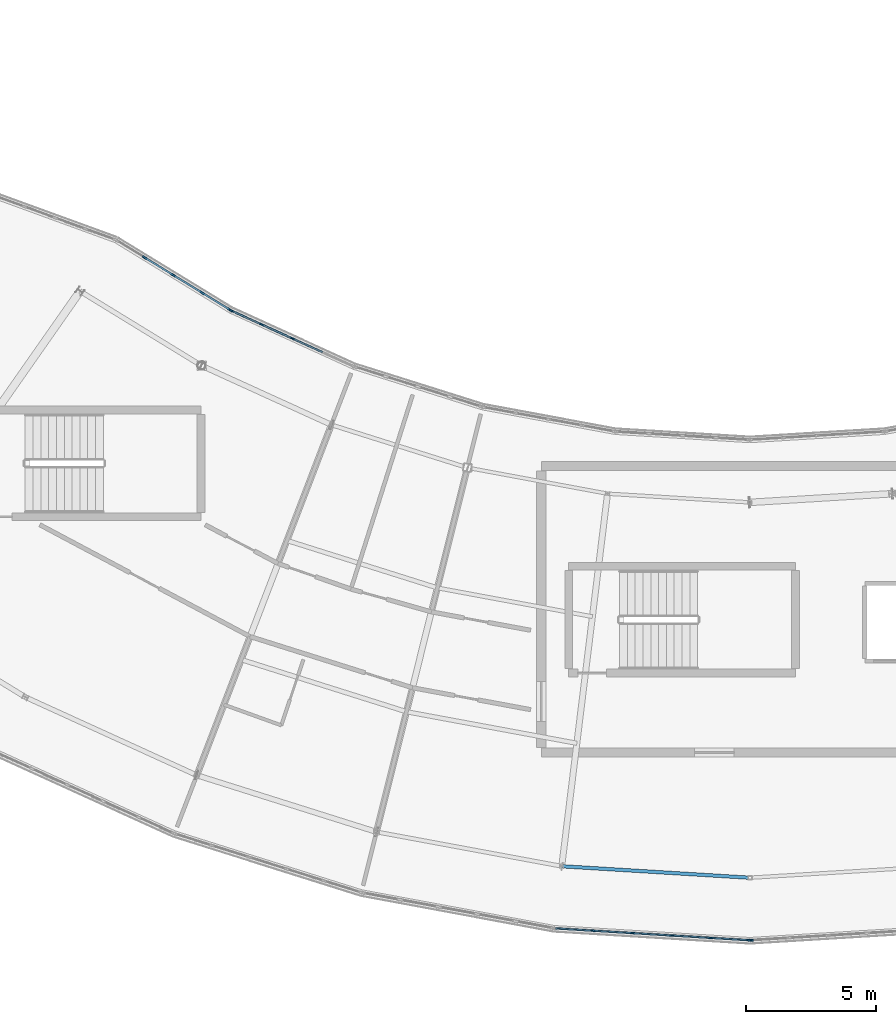
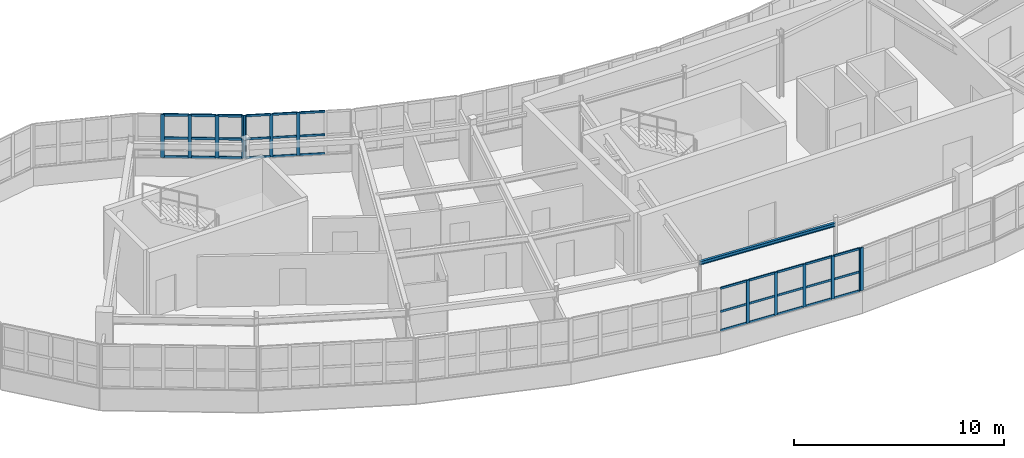
# One storey, part 23 of 79: 46 members, 1 beam, 4 elements without a shape of their own.
"""IFC4 building model written with IfcOpenShell, lengths in metres."""

import ifcopenshell
import ifcopenshell.guid

model = None  # the IFC model being written
_history = None  # IfcOwnerHistory: only IFC2X3 demands one
_inside = {}  # id of a spatial element -> (the spatial element, [elements in it])
_under = {}  # id of a project, library or spatial element -> (it, [spatial elements below it])
_declared = {}  # id of a project -> (the project, [libraries it declares])
_typed = {}  # id of a type object -> (the type object, [elements of that type])
_made_of = {}  # id of a material, layer set ... -> (it, [elements and type objects made of it])


def new_model(schema):
    """Start an empty IFC model of exactly this schema.

    Asked for "IFC4X3", IfcOpenShell would pick the latest addendum, in which some entities
    have other attributes; the version numbers below select the first issue.
    IFC2X3 requires an IfcOwnerHistory on every rooted entity: one is made here for all.
    """
    global model, _history
    if schema == "IFC4X3":
        model = ifcopenshell.file(schema_version=(4, 3, 0, 0))
    else:
        model = ifcopenshell.file(schema=schema)
    _inside.clear()
    _under.clear()
    _declared.clear()
    _typed.clear()
    _made_of.clear()
    _history = None
    if model.schema == "IFC2X3":
        org = make("IfcOrganization", Name="unknown")
        user = make(
            "IfcPersonAndOrganization",
            ThePerson=make("IfcPerson", FamilyName="unknown"),
            TheOrganization=org,
        )
        app = make(
            "IfcApplication",
            ApplicationDeveloper=org,
            Version="unknown",
            ApplicationFullName="unknown",
            ApplicationIdentifier="unknown",
        )
        _history = make(
            "IfcOwnerHistory",
            OwningUser=user,
            OwningApplication=app,
            ChangeAction="ADDED",
            CreationDate=0,
        )
    return model


def make(cls, **values):
    """One entity of the class cls with the attributes given. An attribute that is None is left unset."""
    return model.create_entity(
        cls, **{name: value for name, value in values.items() if value is not None}
    )


def rooted(cls, **values):
    """An entity with a GlobalId (a new one), such as an element, a storey or a relation."""
    return make(cls, GlobalId=ifcopenshell.guid.new(), OwnerHistory=_history, **values)


def si_unit(unit_type, name, prefix=None):
    """IfcSIUnit, for example si_unit("LENGTHUNIT", "METRE", prefix="MILLI")."""
    return make("IfcSIUnit", UnitType=unit_type, Prefix=prefix, Name=name)


def assignment(units):
    """IfcUnitAssignment: the units of a project."""
    return None if units is None else make("IfcUnitAssignment", Units=units)


def point(xyz):
    """IfcCartesianPoint."""
    return None if xyz is None else make("IfcCartesianPoint", Coordinates=xyz)


def direction(xyz):
    """IfcDirection."""
    return None if xyz is None else make("IfcDirection", DirectionRatios=xyz)


def frame(location, z_axis=None, x_axis=None):
    """IfcAxis2Placement3D, a coordinate frame: its origin and axes. An axis left out is left unset."""
    return make(
        "IfcAxis2Placement3D",
        Location=point(location),
        Axis=direction(z_axis),
        RefDirection=direction(x_axis),
    )


def frame_2d(location, x_axis=None):
    """IfcAxis2Placement2D, a coordinate frame in the plane: its origin and x axis."""
    return make(
        "IfcAxis2Placement2D", Location=point(location), RefDirection=direction(x_axis)
    )


def origin():
    """The frame at (0, 0, 0) with its axes left unset."""
    return frame((0.0, 0.0, 0.0))


def origin_2d():
    """The frame at (0, 0) in the plane with its x axis left unset."""
    return frame_2d((0.0, 0.0))


def place(relative_to, where):
    """IfcLocalPlacement: puts the frame where relative to a parent placement (None: the world)."""
    return make(
        "IfcLocalPlacement", PlacementRelTo=relative_to, RelativePlacement=where
    )


def context(
    kind, dimensions, precision=None, world=None, true_north=None, identifier=None
):
    """IfcGeometricRepresentationContext, for example the 3D "Model" context."""
    return make(
        "IfcGeometricRepresentationContext",
        ContextIdentifier=identifier,
        ContextType=kind,
        CoordinateSpaceDimension=dimensions,
        Precision=precision,
        WorldCoordinateSystem=world,
        TrueNorth=true_north,
    )


def subcontext(parent, identifier, kind, view, scale=None):
    """IfcGeometricRepresentationSubContext, for example "Body" below "Model"."""
    return make(
        "IfcGeometricRepresentationSubContext",
        ContextIdentifier=identifier,
        ContextType=kind,
        ParentContext=parent,
        TargetScale=scale,
        TargetView=view,
    )


def project(units=None, contexts=None):
    """IfcProject with its units and contexts."""
    return rooted(
        "IfcProject",
        Name="project",
        RepresentationContexts=contexts,
        UnitsInContext=assignment(units),
    )


def spatial(cls, under=None, at=None, **own):
    """A site, building, storey or space (cls), placed at a placement, below another one or the project."""
    s = rooted(cls, ObjectPlacement=at, **own)
    if under is not None:
        _under.setdefault(under.id(), (under, []))[1].append(s)
    return s


def profile(cls, at=None, kind="AREA", **sizes):
    """A parametric profile (cls). Its sizes go by their IFC names, for example OverallWidth=200.0."""
    return make(cls, ProfileType=kind, Position=at, **sizes)


def rectangle(**sizes):
    """IfcRectangleProfileDef."""
    return profile("IfcRectangleProfileDef", **sizes)


def i_section(**sizes):
    """IfcIShapeProfileDef."""
    return profile("IfcIShapeProfileDef", **sizes)


def extrude(swept, where, along, depth):
    """IfcExtrudedAreaSolid: the profile swept, set in the frame where, extruded along a direction by depth."""
    return make(
        "IfcExtrudedAreaSolid",
        SweptArea=swept,
        Position=where,
        ExtrudedDirection=direction(along),
        Depth=depth,
    )


def shape(context_of_items, identifier, shape_type, items):
    """IfcShapeRepresentation: the items that make up one representation, for example the "Body"."""
    return make(
        "IfcShapeRepresentation",
        ContextOfItems=context_of_items,
        RepresentationIdentifier=identifier,
        RepresentationType=shape_type,
        Items=items,
    )


def material(Name=None, Category=None):
    """IfcMaterial."""
    return make("IfcMaterial", Name=Name, Category=Category)


def layer(
    of_material, thickness, ventilated=None, Name=None, Category=None, Priority=None
):
    """IfcMaterialLayer: one layer of a wall or slab, of a material (None: an air gap)."""
    return make(
        "IfcMaterialLayer",
        Material=of_material,
        LayerThickness=thickness,
        IsVentilated=ventilated,
        Name=Name,
        Category=Category,
        Priority=Priority,
    )


def layer_set(layers, Name=None):
    """IfcMaterialLayerSet."""
    return make("IfcMaterialLayerSet", MaterialLayers=layers, LayerSetName=Name)


def material_profile(
    of_material, cross_section, Name=None, Category=None, Priority=None
):
    """IfcMaterialProfile: a cross section and its material."""
    return make(
        "IfcMaterialProfile",
        Name=Name,
        Material=of_material,
        Profile=cross_section,
        Priority=Priority,
        Category=Category,
    )


def profile_set(profiles, Name=None, composite=None):
    """IfcMaterialProfileSet."""
    return make(
        "IfcMaterialProfileSet",
        Name=Name,
        MaterialProfiles=profiles,
        CompositeProfile=composite,
    )


def made_of(thing, what):
    """Note that an element or type object is made of a material, layer set ...; save() writes the relation."""
    if what is not None:
        _made_of.setdefault(what.id(), (what, []))[1].append(thing)
    return thing


def type_object(cls, material=None, **own):
    """A type object (cls), such as IfcWallType, which elements share."""
    return made_of(rooted(cls, **own), material)


def element(
    cls,
    number,
    at=None,
    inside=None,
    cuts=None,
    type_object=None,
    material=None,
    context=None,
    identifier="Body",
    shape_type=None,
    held_by="IfcProductDefinitionShape",
    body=None,
    shapes=None,
    **own,
):
    """One element of the class cls, such as IfcWall. Its Tag is "e" and its number.

    at: its placement. inside: the storey or other place that contains it. cuts: it is an
    opening in that element (IfcRelVoidsElement). A single representation is given by context,
    identifier, shape_type and body (its items); several are given by shapes. held_by: the class
    of the entity that holds the representations. save() writes the other relations.
    """
    e = rooted(cls, Tag="e%d" % number, ObjectPlacement=at, **own)
    if body is not None:
        shapes = [shape(context, identifier, shape_type, body)]
    if shapes is not None:
        e.Representation = make(held_by, Representations=shapes)
    if inside is not None:
        _inside.setdefault(inside.id(), (inside, []))[1].append(e)
    if cuts is not None:
        rooted(
            "IfcRelVoidsElement", RelatingBuildingElement=cuts, RelatedOpeningElement=e
        )
    if type_object is not None:
        _typed.setdefault(type_object.id(), (type_object, []))[1].append(e)
    return made_of(e, material)


def aggregate(whole, parts):
    """IfcRelAggregates: a whole, such as a stair, and the parts it consists of."""
    return rooted("IfcRelAggregates", RelatingObject=whole, RelatedObjects=parts)


def save(model, path):
    """Write the relations noted so far, then the file.

    IfcRelAggregates (storeys below a building ...), IfcRelContainedInSpatialStructure (elements
    in a storey), IfcRelDefinesByType, IfcRelAssociatesMaterial and IfcRelDeclares: one each for
    every whole, place, type object, material and project.
    """
    for whole, parts in _under.values():
        aggregate(whole, parts)
    for where, things in _inside.values():
        rooted(
            "IfcRelContainedInSpatialStructure",
            RelatedElements=things,
            RelatingStructure=where,
        )
    for kind, things in _typed.values():
        rooted("IfcRelDefinesByType", RelatedObjects=things, RelatingType=kind)
    for what, things in _made_of.values():
        rooted("IfcRelAssociatesMaterial", RelatedObjects=things, RelatingMaterial=what)
    for by, libraries in _declared.values():
        rooted("IfcRelDeclares", RelatingContext=by, RelatedDefinitions=libraries)
    model.write(path)


model = new_model("IFC4")

# Units and contexts
model_context = context("Model", 3, precision=1e-05, world=origin(), true_north=direction((0.0, 1.0)))
body_context = subcontext(model_context, "Body", "Model", "MODEL_VIEW")
ifc_project = project(units=[si_unit("LENGTHUNIT", "METRE"), si_unit("AREAUNIT", "SQUARE_METRE"), si_unit("VOLUMEUNIT", "CUBIC_METRE"), si_unit("PLANEANGLEUNIT", "RADIAN"), si_unit("MASSUNIT", "GRAM", prefix="KILO")], contexts=[model_context])

# Site, building, storey
site_placement = place(None, origin())
site = spatial("IfcSite", under=ifc_project, at=site_placement, CompositionType="ELEMENT")
building_placement = place(site_placement, origin())
building = spatial("IfcBuilding", under=site, at=building_placement, Name="Tarnwether General Hospital", CompositionType="ELEMENT")
storey_placement = place(building_placement, frame((0.0, 0.0, 18.300048828125)))
storey = spatial("IfcBuildingStorey", under=building, at=storey_placement, Name="L04", CompositionType="ELEMENT", Elevation=18.300048828125)

# Beam
ifc_material_1 = material(Name="Steel Grade 350 (350 MPa)", Category="steel")
ifc_material_profile_1 = material_profile(ifc_material_1, i_section(OverallWidth=0.133056640625, OverallDepth=0.202880859375, WebThickness=0.005859375, FlangeThickness=0.0078125, at=origin_2d()), Name="200UB25.4")
ifc_profile_set_1 = profile_set([ifc_material_profile_1], Name="Steel Grade 350 (350 MPa)")
beam_type = type_object("IfcBeamType", Name="BM-SP5", PredefinedType="SPANDREL", material=ifc_profile_set_1)
beam_placement = place(storey_placement, frame((84.784912109375, 4.240966796875, 3.45849609375), z_axis=(0.998137964221, -0.060996757127, 0.0), x_axis=(0.060996757127, 0.998137964221, 0.0)))
element("IfcBeam", 1, at=beam_placement, inside=storey, type_object=beam_type, Name="Curved Ward SE Outer Spandrel BMG-L04-8478_424-9200_380-2150", PredefinedType="SPANDREL", context=body_context, shape_type="SweptSolid", body=[
    extrude(i_section(OverallWidth=0.133056640625, OverallDepth=0.202880859375, WebThickness=0.005859375, FlangeThickness=0.0078125, at=origin_2d()), origin(), (0.0, 0.0, 1.0), 7.228515625),
])

# Curtain wall, members
ifc_material_2 = material(Name="Anodised aluminium", Category="aluminium")
ifc_layer_1 = layer(ifc_material_2, 0.159912109375)
ifc_layer_set_1 = layer_set([ifc_layer_1], Name="Anodised aluminium")
curtain_wall_type_1 = type_object("IfcCurtainWallType", Name="CW-09", PredefinedType="NOTDEFINED", material=ifc_layer_set_1)
curtain_wall_1_placement = place(storey_placement, origin())
curtain_wall_1 = element("IfcCurtainWall", 2, at=curtain_wall_1_placement, inside=storey, type_object=curtain_wall_type_1, Name="Curtain Wall CWG-L04-920_14-0190", PredefinedType="NOTDEFINED")
ifc_material_3 = material(Name="Anodised aluminium", Category="aluminium")
ifc_material_profile_2 = material_profile(ifc_material_3, rectangle(XDim=0.06005859375, YDim=0.159912109375, at=origin_2d()), Name="ALU-MUL-60x160")
ifc_profile_set_2 = profile_set([ifc_material_profile_2], Name="Anodised aluminium")
member_type_1 = type_object("IfcMemberType", Name="CW-ML1", PredefinedType="MULLION", material=ifc_profile_set_2)
member_1_placement = place(storey_placement, frame((91.969970703125, 1.40185546875, 1.050048828125), z_axis=(0.0, 0.0, 1.0), x_axis=(-0.061028962567, -0.998135995608, 0.0)))
member_1 = element("IfcMember", 3, at=member_1_placement, type_object=member_type_1, Name="CW-09 mullion 1", PredefinedType="MULLION", context=body_context, shape_type="SweptSolid", body=[
    extrude(rectangle(XDim=0.06005859375, YDim=0.159912109375, at=origin_2d()), origin(), (0.0, 0.0, 1.0), 2.489990234375),
])
member_2_placement = place(storey_placement, frame((90.49853515625, 1.49169921875, 1.050048828125), z_axis=(0.0, 0.0, 1.0), x_axis=(-0.061028962567, -0.998135995608, 0.0)))
member_2 = element("IfcMember", 4, at=member_2_placement, type_object=member_type_1, Name="CW-09 mullion 2", PredefinedType="MULLION", context=body_context, shape_type="SweptSolid", body=[
    extrude(rectangle(XDim=0.06005859375, YDim=0.159912109375, at=origin_2d()), origin(), (0.0, 0.0, 1.0), 2.489990234375),
])
member_3_placement = place(storey_placement, frame((88.997314453125, 1.58349609375, 1.050048828125), z_axis=(0.0, 0.0, 1.0), x_axis=(-0.061028962567, -0.998135995608, 0.0)))
member_3 = element("IfcMember", 5, at=member_3_placement, type_object=member_type_1, Name="CW-09 mullion 3", PredefinedType="MULLION", context=body_context, shape_type="SweptSolid", body=[
    extrude(rectangle(XDim=0.06005859375, YDim=0.159912109375, at=origin_2d()), origin(), (0.0, 0.0, 1.0), 2.489990234375),
])
member_4_placement = place(storey_placement, frame((87.495849609375, 1.67529296875, 1.050048828125), z_axis=(0.0, 0.0, 1.0), x_axis=(-0.061028962567, -0.998135995608, 0.0)))
member_4 = element("IfcMember", 6, at=member_4_placement, type_object=member_type_1, Name="CW-09 mullion 4", PredefinedType="MULLION", context=body_context, shape_type="SweptSolid", body=[
    extrude(rectangle(XDim=0.06005859375, YDim=0.159912109375, at=origin_2d()), origin(), (0.0, 0.0, 1.0), 2.489990234375),
])
member_5_placement = place(storey_placement, frame((85.994384765625, 1.76708984375, 1.050048828125), z_axis=(0.0, 0.0, 1.0), x_axis=(-0.061028962567, -0.998135995608, 0.0)))
member_5 = element("IfcMember", 7, at=member_5_placement, type_object=member_type_1, Name="CW-09 mullion 5", PredefinedType="MULLION", context=body_context, shape_type="SweptSolid", body=[
    extrude(rectangle(XDim=0.06005859375, YDim=0.159912109375, at=origin_2d()), origin(), (0.0, 0.0, 1.0), 2.489990234375),
])

ifc_material_4 = material(Name="Anodised aluminium", Category="aluminium")
ifc_layer_2 = layer(ifc_material_4, 0.159912109375)
ifc_layer_set_2 = layer_set([ifc_layer_2], Name="Anodised aluminium")
curtain_wall_type_2 = type_object("IfcCurtainWallType", Name="CW-03", PredefinedType="NOTDEFINED", material=ifc_layer_set_2)
curtain_wall_2_placement = place(storey_placement, origin())
curtain_wall_2 = element("IfcCurtainWall", 8, at=curtain_wall_2_placement, inside=storey, type_object=curtain_wall_type_2, Name="Curtain Wall CWG-L04-721_256-0210", PredefinedType="NOTDEFINED")
member_6_placement = place(storey_placement, frame((72.121337890625, 25.550537109375, 1.050048828125), z_axis=(0.0, 0.0, 1.0), x_axis=(0.41470501572, 0.90995590549, 0.0)))
member_6 = element("IfcMember", 9, at=member_6_placement, type_object=member_type_1, Name="CW-03 mullion 1", PredefinedType="MULLION", context=body_context, shape_type="SweptSolid", body=[
    extrude(rectangle(XDim=0.06005859375, YDim=0.159912109375, at=origin_2d()), origin(), (0.0, 0.0, 1.0), 2.489990234375),
])
member_7_placement = place(storey_placement, frame((73.271728515625, 25.0263671875, 1.050048828125), z_axis=(0.0, 0.0, 1.0), x_axis=(0.41470501572, 0.90995590549, 0.0)))
member_7 = element("IfcMember", 10, at=member_7_placement, type_object=member_type_1, Name="CW-03 mullion 2", PredefinedType="MULLION", context=body_context, shape_type="SweptSolid", body=[
    extrude(rectangle(XDim=0.06005859375, YDim=0.159912109375, at=origin_2d()), origin(), (0.0, 0.0, 1.0), 2.489990234375),
])
member_8_placement = place(storey_placement, frame((74.449462890625, 24.489501953125, 1.050048828125), z_axis=(0.0, 0.0, 1.0), x_axis=(0.41470501572, 0.90995590549, 0.0)))
member_8 = element("IfcMember", 11, at=member_8_placement, type_object=member_type_1, Name="CW-03 mullion 3", PredefinedType="MULLION", context=body_context, shape_type="SweptSolid", body=[
    extrude(rectangle(XDim=0.06005859375, YDim=0.159912109375, at=origin_2d()), origin(), (0.0, 0.0, 1.0), 2.489990234375),
])

# Curtain wall, member
curtain_wall_3_placement = place(storey_placement, origin())
curtain_wall_3 = element("IfcCurtainWall", 12, at=curtain_wall_3_placement, inside=storey, type_object=curtain_wall_type_1, Name="Curtain Wall CWG-L04-995_19-0191", PredefinedType="NOTDEFINED")
ifc_material_5 = material(Name="Anodised aluminium", Category="aluminium")
ifc_material_profile_3 = material_profile(ifc_material_5, rectangle(XDim=0.070068359375, YDim=0.179931640625, at=origin_2d()), Name="ALU-MUL-70x180")
ifc_profile_set_3 = profile_set([ifc_material_profile_3], Name="Anodised aluminium")
member_type_2 = type_object("IfcMemberType", Name="CW-ML2", PredefinedType="MULLION", material=ifc_profile_set_3)
member_9_placement = place(storey_placement, frame((92.034912109375, 1.402099609375, 1.050048828125), z_axis=(0.0, 0.0, 1.0), x_axis=(0.061028962567, -0.998135995608, 0.0)))
member_9 = element("IfcMember", 13, at=member_9_placement, type_object=member_type_2, Name="CW-09 mullion 6", PredefinedType="MULLION", context=body_context, shape_type="SweptSolid", body=[
    extrude(rectangle(XDim=0.070068359375, YDim=0.179931640625, at=origin_2d()), origin(), (0.0, 0.0, 1.0), 2.489990234375),
])
aggregate(curtain_wall_3, [member_9])

# Curtain wall, members
curtain_wall_4_placement = place(storey_placement, origin())
curtain_wall_4 = element("IfcCurtainWall", 14, at=curtain_wall_4_placement, inside=storey, type_object=curtain_wall_type_2, Name="Curtain Wall CWG-L04-677_283-0211", PredefinedType="NOTDEFINED")
member_10_placement = place(storey_placement, frame((68.783447265625, 27.591796875, 1.050048828125), z_axis=(0.0, 0.0, 1.0), x_axis=(0.522512231483, 0.852631789198, 0.0)))
member_10 = element("IfcMember", 15, at=member_10_placement, type_object=member_type_2, Name="CW-03 mullion 2", PredefinedType="MULLION", context=body_context, shape_type="SweptSolid", body=[
    extrude(rectangle(XDim=0.070068359375, YDim=0.179931640625, at=origin_2d()), origin(), (0.0, 0.0, 1.0), 2.489990234375),
])
member_11_placement = place(storey_placement, frame((69.886962890625, 26.91552734375, 1.050048828125), z_axis=(0.0, 0.0, 1.0), x_axis=(0.522512231483, 0.852631789198, 0.0)))
member_11 = element("IfcMember", 16, at=member_11_placement, type_object=member_type_2, Name="CW-03 mullion 3", PredefinedType="MULLION", context=body_context, shape_type="SweptSolid", body=[
    extrude(rectangle(XDim=0.070068359375, YDim=0.179931640625, at=origin_2d()), origin(), (0.0, 0.0, 1.0), 2.489990234375),
])
member_12_placement = place(storey_placement, frame((70.990478515625, 26.2392578125, 1.050048828125), z_axis=(0.0, 0.0, 1.0), x_axis=(0.522512231483, 0.852631789198, 0.0)))
member_12 = element("IfcMember", 17, at=member_12_placement, type_object=member_type_2, Name="CW-03 mullion 4", PredefinedType="MULLION", context=body_context, shape_type="SweptSolid", body=[
    extrude(rectangle(XDim=0.070068359375, YDim=0.179931640625, at=origin_2d()), origin(), (0.0, 0.0, 1.0), 2.489990234375),
])
member_13_placement = place(storey_placement, frame((72.064208984375, 25.581298828125, 1.050048828125), z_axis=(0.0, 0.0, 1.0), x_axis=(0.522512231483, 0.852631789198, 0.0)))
member_13 = element("IfcMember", 18, at=member_13_placement, type_object=member_type_2, Name="CW-03 mullion 5", PredefinedType="MULLION", context=body_context, shape_type="SweptSolid", body=[
    extrude(rectangle(XDim=0.070068359375, YDim=0.179931640625, at=origin_2d()), origin(), (0.0, 0.0, 1.0), 2.489990234375),
])

# Member
ifc_material_6 = material(Name="Anodised aluminium", Category="aluminium")
ifc_material_profile_4 = material_profile(ifc_material_6, rectangle(XDim=0.06005859375, YDim=0.1201171875, at=origin_2d()), Name="ALU-TRN-60x120")
ifc_profile_set_4 = profile_set([ifc_material_profile_4], Name="Anodised aluminium")
member_type_3 = type_object("IfcMemberType", Name="CW-TR1", PredefinedType="USERDEFINED", material=ifc_profile_set_4)
member_14_placement = place(storey_placement, frame((91.940185546875, 1.403564453125, 1.079833984375), z_axis=(-0.998131033565, 0.06111006328, 0.0), x_axis=(-0.06111006328, -0.998131033565, 0.0)))
member_14 = element("IfcMember", 19, at=member_14_placement, type_object=member_type_3, Name="CW-09 transom 1.1", ObjectType="TRANSOM", PredefinedType="USERDEFINED", context=body_context, shape_type="SweptSolid", body=[
    extrude(rectangle(XDim=0.06005859375, YDim=0.1201171875, at=origin_2d()), origin(), (0.0, 0.0, 1.0), 1.414306640625),
])

member_15_placement = place(storey_placement, frame((91.940185546875, 1.403564453125, 2.17041015625), z_axis=(-0.998131033565, 0.06111006328, 0.0), x_axis=(-0.06111006328, -0.998131033565, 0.0)))
member_15 = element("IfcMember", 20, at=member_15_placement, type_object=member_type_3, Name="CW-09 transom 1.2", ObjectType="TRANSOM", PredefinedType="USERDEFINED", context=body_context, shape_type="SweptSolid", body=[
    extrude(rectangle(XDim=0.06005859375, YDim=0.1201171875, at=origin_2d()), origin(), (0.0, 0.0, 1.0), 1.414306640625),
])

member_16_placement = place(storey_placement, frame((91.940185546875, 1.403564453125, 3.510009765625), z_axis=(-0.998131033565, 0.06111006328, 0.0), x_axis=(-0.06111006328, -0.998131033565, 0.0)))
member_16 = element("IfcMember", 21, at=member_16_placement, type_object=member_type_3, Name="CW-09 transom 1.3", ObjectType="TRANSOM", PredefinedType="USERDEFINED", context=body_context, shape_type="SweptSolid", body=[
    extrude(rectangle(XDim=0.06005859375, YDim=0.1201171875, at=origin_2d()), origin(), (0.0, 0.0, 1.0), 1.414306640625),
])

member_17_placement = place(storey_placement, frame((90.46875, 1.49365234375, 1.079833984375), z_axis=(-0.998136500325, 0.061020707302, 0.0), x_axis=(-0.061020707302, -0.998136500325, 0.0)))
member_17 = element("IfcMember", 22, at=member_17_placement, type_object=member_type_3, Name="CW-09 transom 2.1", ObjectType="TRANSOM", PredefinedType="USERDEFINED", context=body_context, shape_type="SweptSolid", body=[
    extrude(rectangle(XDim=0.06005859375, YDim=0.1201171875, at=origin_2d()), origin(), (0.0, 0.0, 1.0), 1.4443359375),
])

member_18_placement = place(storey_placement, frame((90.46875, 1.49365234375, 2.17041015625), z_axis=(-0.998136500325, 0.061020707302, 0.0), x_axis=(-0.061020707302, -0.998136500325, 0.0)))
member_18 = element("IfcMember", 23, at=member_18_placement, type_object=member_type_3, Name="CW-09 transom 2.2", ObjectType="TRANSOM", PredefinedType="USERDEFINED", context=body_context, shape_type="SweptSolid", body=[
    extrude(rectangle(XDim=0.06005859375, YDim=0.1201171875, at=origin_2d()), origin(), (0.0, 0.0, 1.0), 1.4443359375),
])

member_19_placement = place(storey_placement, frame((90.46875, 1.49365234375, 3.510009765625), z_axis=(-0.998136500325, 0.061020707302, 0.0), x_axis=(-0.061020707302, -0.998136500325, 0.0)))
member_19 = element("IfcMember", 24, at=member_19_placement, type_object=member_type_3, Name="CW-09 transom 2.3", ObjectType="TRANSOM", PredefinedType="USERDEFINED", context=body_context, shape_type="SweptSolid", body=[
    extrude(rectangle(XDim=0.06005859375, YDim=0.1201171875, at=origin_2d()), origin(), (0.0, 0.0, 1.0), 1.4443359375),
])

member_20_placement = place(storey_placement, frame((88.96728515625, 1.58544921875, 1.079833984375), z_axis=(-0.998136500325, 0.061020707302, 0.0), x_axis=(-0.061020707302, -0.998136500325, 0.0)))
member_20 = element("IfcMember", 25, at=member_20_placement, type_object=member_type_3, Name="CW-09 transom 3.1", ObjectType="TRANSOM", PredefinedType="USERDEFINED", context=body_context, shape_type="SweptSolid", body=[
    extrude(rectangle(XDim=0.06005859375, YDim=0.1201171875, at=origin_2d()), origin(), (0.0, 0.0, 1.0), 1.4443359375),
])

member_21_placement = place(storey_placement, frame((88.96728515625, 1.58544921875, 2.17041015625), z_axis=(-0.998136500325, 0.061020707302, 0.0), x_axis=(-0.061020707302, -0.998136500325, 0.0)))
member_21 = element("IfcMember", 26, at=member_21_placement, type_object=member_type_3, Name="CW-09 transom 3.2", ObjectType="TRANSOM", PredefinedType="USERDEFINED", context=body_context, shape_type="SweptSolid", body=[
    extrude(rectangle(XDim=0.06005859375, YDim=0.1201171875, at=origin_2d()), origin(), (0.0, 0.0, 1.0), 1.4443359375),
])

member_22_placement = place(storey_placement, frame((88.96728515625, 1.58544921875, 3.510009765625), z_axis=(-0.998136500325, 0.061020707302, 0.0), x_axis=(-0.061020707302, -0.998136500325, 0.0)))
member_22 = element("IfcMember", 27, at=member_22_placement, type_object=member_type_3, Name="CW-09 transom 3.3", ObjectType="TRANSOM", PredefinedType="USERDEFINED", context=body_context, shape_type="SweptSolid", body=[
    extrude(rectangle(XDim=0.06005859375, YDim=0.1201171875, at=origin_2d()), origin(), (0.0, 0.0, 1.0), 1.4443359375),
])

member_23_placement = place(storey_placement, frame((87.4658203125, 1.67724609375, 1.079833984375), z_axis=(-0.998135870769, 0.061031004293, 0.0), x_axis=(-0.061031004293, -0.998135870769, 0.0)))
member_23 = element("IfcMember", 28, at=member_23_placement, type_object=member_type_3, Name="CW-09 transom 4.1", ObjectType="TRANSOM", PredefinedType="USERDEFINED", context=body_context, shape_type="SweptSolid", body=[
    extrude(rectangle(XDim=0.06005859375, YDim=0.1201171875, at=origin_2d()), origin(), (0.0, 0.0, 1.0), 1.444091796875),
])

member_24_placement = place(storey_placement, frame((87.4658203125, 1.67724609375, 2.17041015625), z_axis=(-0.998135870769, 0.061031004293, 0.0), x_axis=(-0.061031004293, -0.998135870769, 0.0)))
member_24 = element("IfcMember", 29, at=member_24_placement, type_object=member_type_3, Name="CW-09 transom 4.2", ObjectType="TRANSOM", PredefinedType="USERDEFINED", context=body_context, shape_type="SweptSolid", body=[
    extrude(rectangle(XDim=0.06005859375, YDim=0.1201171875, at=origin_2d()), origin(), (0.0, 0.0, 1.0), 1.444091796875),
])

member_25_placement = place(storey_placement, frame((87.4658203125, 1.67724609375, 3.510009765625), z_axis=(-0.998135870769, 0.061031004293, 0.0), x_axis=(-0.061031004293, -0.998135870769, 0.0)))
member_25 = element("IfcMember", 30, at=member_25_placement, type_object=member_type_3, Name="CW-09 transom 4.3", ObjectType="TRANSOM", PredefinedType="USERDEFINED", context=body_context, shape_type="SweptSolid", body=[
    extrude(rectangle(XDim=0.06005859375, YDim=0.1201171875, at=origin_2d()), origin(), (0.0, 0.0, 1.0), 1.444091796875),
])

member_26_placement = place(storey_placement, frame((85.96435546875, 1.76904296875, 1.079833984375), z_axis=(-0.998140907193, 0.060948579872, 0.0), x_axis=(-0.060948579872, -0.998140907193, 0.0)))
member_26 = element("IfcMember", 31, at=member_26_placement, type_object=member_type_3, Name="CW-09 transom 5.1", ObjectType="TRANSOM", PredefinedType="USERDEFINED", context=body_context, shape_type="SweptSolid", body=[
    extrude(rectangle(XDim=0.06005859375, YDim=0.1201171875, at=origin_2d()), origin(), (0.0, 0.0, 1.0), 1.4140625),
])

member_27_placement = place(storey_placement, frame((85.96435546875, 1.76904296875, 2.17041015625), z_axis=(-0.998140907193, 0.060948579872, 0.0), x_axis=(-0.060948579872, -0.998140907193, 0.0)))
member_27 = element("IfcMember", 32, at=member_27_placement, type_object=member_type_3, Name="CW-09 transom 5.2", ObjectType="TRANSOM", PredefinedType="USERDEFINED", context=body_context, shape_type="SweptSolid", body=[
    extrude(rectangle(XDim=0.06005859375, YDim=0.1201171875, at=origin_2d()), origin(), (0.0, 0.0, 1.0), 1.4140625),
])

member_28_placement = place(storey_placement, frame((85.96435546875, 1.76904296875, 3.510009765625), z_axis=(-0.998140907193, 0.060948579872, 0.0), x_axis=(-0.060948579872, -0.998140907193, 0.0)))
member_28 = element("IfcMember", 33, at=member_28_placement, type_object=member_type_3, Name="CW-09 transom 5.3", ObjectType="TRANSOM", PredefinedType="USERDEFINED", context=body_context, shape_type="SweptSolid", body=[
    extrude(rectangle(XDim=0.06005859375, YDim=0.1201171875, at=origin_2d()), origin(), (0.0, 0.0, 1.0), 1.4140625),
])

aggregate(curtain_wall_1, [member_1, member_2, member_3, member_4, member_5, member_14, member_15, member_16, member_17, member_18, member_19, member_20, member_21, member_22, member_23, member_24, member_25, member_26, member_27, member_28])

member_29_placement = place(storey_placement, frame((72.148681640625, 25.5380859375, 1.079833984375), z_axis=(0.90990766598, -0.414810847726, 0.0), x_axis=(0.414810847726, 0.90990766598, 0.0)))
member_29 = element("IfcMember", 34, at=member_29_placement, type_object=member_type_3, Name="CW-03 transom 1.1", ObjectType="TRANSOM", PredefinedType="USERDEFINED", context=body_context, shape_type="SweptSolid", body=[
    extrude(rectangle(XDim=0.06005859375, YDim=0.1201171875, at=origin_2d()), origin(), (0.0, 0.0, 1.0), 1.2041015625),
])

member_30_placement = place(storey_placement, frame((72.148681640625, 25.5380859375, 2.17041015625), z_axis=(0.90990766598, -0.414810847726, 0.0), x_axis=(0.414810847726, 0.90990766598, 0.0)))
member_30 = element("IfcMember", 35, at=member_30_placement, type_object=member_type_3, Name="CW-03 transom 1.2", ObjectType="TRANSOM", PredefinedType="USERDEFINED", context=body_context, shape_type="SweptSolid", body=[
    extrude(rectangle(XDim=0.06005859375, YDim=0.1201171875, at=origin_2d()), origin(), (0.0, 0.0, 1.0), 1.2041015625),
])

member_31_placement = place(storey_placement, frame((72.148681640625, 25.5380859375, 3.510009765625), z_axis=(0.90990766598, -0.414810847726, 0.0), x_axis=(0.414810847726, 0.90990766598, 0.0)))
member_31 = element("IfcMember", 36, at=member_31_placement, type_object=member_type_3, Name="CW-03 transom 1.3", ObjectType="TRANSOM", PredefinedType="USERDEFINED", context=body_context, shape_type="SweptSolid", body=[
    extrude(rectangle(XDim=0.06005859375, YDim=0.1201171875, at=origin_2d()), origin(), (0.0, 0.0, 1.0), 1.2041015625),
])

member_32_placement = place(storey_placement, frame((73.299072265625, 25.013916015625, 1.079833984375), z_axis=(0.909912057704, -0.414801214132, 0.0), x_axis=(0.414801214132, 0.909912057704, 0.0)))
member_32 = element("IfcMember", 37, at=member_32_placement, type_object=member_type_3, Name="CW-03 transom 2.1", ObjectType="TRANSOM", PredefinedType="USERDEFINED", context=body_context, shape_type="SweptSolid", body=[
    extrude(rectangle(XDim=0.06005859375, YDim=0.1201171875, at=origin_2d()), origin(), (0.0, 0.0, 1.0), 1.234130859375),
])

member_33_placement = place(storey_placement, frame((73.299072265625, 25.013916015625, 2.17041015625), z_axis=(0.909912057704, -0.414801214132, 0.0), x_axis=(0.414801214132, 0.909912057704, 0.0)))
member_33 = element("IfcMember", 38, at=member_33_placement, type_object=member_type_3, Name="CW-03 transom 2.2", ObjectType="TRANSOM", PredefinedType="USERDEFINED", context=body_context, shape_type="SweptSolid", body=[
    extrude(rectangle(XDim=0.06005859375, YDim=0.1201171875, at=origin_2d()), origin(), (0.0, 0.0, 1.0), 1.234130859375),
])

member_34_placement = place(storey_placement, frame((73.299072265625, 25.013916015625, 3.510009765625), z_axis=(0.909912057704, -0.414801214132, 0.0), x_axis=(0.414801214132, 0.909912057704, 0.0)))
member_34 = element("IfcMember", 39, at=member_34_placement, type_object=member_type_3, Name="CW-03 transom 2.3", ObjectType="TRANSOM", PredefinedType="USERDEFINED", context=body_context, shape_type="SweptSolid", body=[
    extrude(rectangle(XDim=0.06005859375, YDim=0.1201171875, at=origin_2d()), origin(), (0.0, 0.0, 1.0), 1.234130859375),
])

member_35_placement = place(storey_placement, frame((74.476806640625, 24.47705078125, 1.079833984375), z_axis=(0.909912057704, -0.414801214132, 0.0), x_axis=(0.414801214132, 0.909912057704, 0.0)))
member_35 = element("IfcMember", 40, at=member_35_placement, type_object=member_type_3, Name="CW-03 transom 3.1", ObjectType="TRANSOM", PredefinedType="USERDEFINED", context=body_context, shape_type="SweptSolid", body=[
    extrude(rectangle(XDim=0.06005859375, YDim=0.1201171875, at=origin_2d()), origin(), (0.0, 0.0, 1.0), 1.234130859375),
])

member_36_placement = place(storey_placement, frame((74.476806640625, 24.47705078125, 2.17041015625), z_axis=(0.909912057704, -0.414801214132, 0.0), x_axis=(0.414801214132, 0.909912057704, 0.0)))
member_36 = element("IfcMember", 41, at=member_36_placement, type_object=member_type_3, Name="CW-03 transom 3.2", ObjectType="TRANSOM", PredefinedType="USERDEFINED", context=body_context, shape_type="SweptSolid", body=[
    extrude(rectangle(XDim=0.06005859375, YDim=0.1201171875, at=origin_2d()), origin(), (0.0, 0.0, 1.0), 1.234130859375),
])

member_37_placement = place(storey_placement, frame((74.476806640625, 24.47705078125, 3.510009765625), z_axis=(0.909912057704, -0.414801214132, 0.0), x_axis=(0.414801214132, 0.909912057704, 0.0)))
member_37 = element("IfcMember", 42, at=member_37_placement, type_object=member_type_3, Name="CW-03 transom 3.3", ObjectType="TRANSOM", PredefinedType="USERDEFINED", context=body_context, shape_type="SweptSolid", body=[
    extrude(rectangle(XDim=0.06005859375, YDim=0.1201171875, at=origin_2d()), origin(), (0.0, 0.0, 1.0), 1.234130859375),
])

aggregate(curtain_wall_2, [member_6, member_7, member_8, member_29, member_30, member_31, member_32, member_33, member_34, member_35, member_36, member_37])

ifc_material_7 = material(Name="Anodised aluminium", Category="aluminium")
ifc_material_profile_5 = material_profile(ifc_material_7, rectangle(XDim=0.070068359375, YDim=0.139892578125, at=origin_2d()), Name="ALU-TRN-70x140")
ifc_profile_set_5 = profile_set([ifc_material_profile_5], Name="Anodised aluminium")
member_type_4 = type_object("IfcMemberType", Name="CW-TR2", PredefinedType="USERDEFINED", material=ifc_profile_set_5)
member_38_placement = place(storey_placement, frame((68.813232421875, 27.573486328125, 1.0849609375), z_axis=(0.852670027324, -0.522449829651, 0.0), x_axis=(0.522449829651, 0.852670027324, 0.0)))
member_38 = element("IfcMember", 43, at=member_38_placement, type_object=member_type_4, Name="CW-03 transom 2.1", ObjectType="TRANSOM", PredefinedType="USERDEFINED", context=body_context, shape_type="SweptSolid", body=[
    extrude(rectangle(XDim=0.070068359375, YDim=0.139892578125, at=origin_2d()), origin(), (0.0, 0.0, 1.0), 1.224365234375),
])

member_39_placement = place(storey_placement, frame((68.813232421875, 27.573486328125, 2.17041015625), z_axis=(0.852670027324, -0.522449829651, 0.0), x_axis=(0.522449829651, 0.852670027324, 0.0)))
member_39 = element("IfcMember", 44, at=member_39_placement, type_object=member_type_4, Name="CW-03 transom 2.2", ObjectType="TRANSOM", PredefinedType="USERDEFINED", context=body_context, shape_type="SweptSolid", body=[
    extrude(rectangle(XDim=0.070068359375, YDim=0.139892578125, at=origin_2d()), origin(), (0.0, 0.0, 1.0), 1.224365234375),
])

member_40_placement = place(storey_placement, frame((68.813232421875, 27.573486328125, 3.5048828125), z_axis=(0.852670027324, -0.522449829651, 0.0), x_axis=(0.522449829651, 0.852670027324, 0.0)))
member_40 = element("IfcMember", 45, at=member_40_placement, type_object=member_type_4, Name="CW-03 transom 2.3", ObjectType="TRANSOM", PredefinedType="USERDEFINED", context=body_context, shape_type="SweptSolid", body=[
    extrude(rectangle(XDim=0.070068359375, YDim=0.139892578125, at=origin_2d()), origin(), (0.0, 0.0, 1.0), 1.224365234375),
])

member_41_placement = place(storey_placement, frame((69.916748046875, 26.897216796875, 1.0849609375), z_axis=(0.852670027324, -0.522449829651, 0.0), x_axis=(0.522449829651, 0.852670027324, 0.0)))
member_41 = element("IfcMember", 46, at=member_41_placement, type_object=member_type_4, Name="CW-03 transom 3.1", ObjectType="TRANSOM", PredefinedType="USERDEFINED", context=body_context, shape_type="SweptSolid", body=[
    extrude(rectangle(XDim=0.070068359375, YDim=0.139892578125, at=origin_2d()), origin(), (0.0, 0.0, 1.0), 1.224365234375),
])

member_42_placement = place(storey_placement, frame((69.916748046875, 26.897216796875, 2.17041015625), z_axis=(0.852670027324, -0.522449829651, 0.0), x_axis=(0.522449829651, 0.852670027324, 0.0)))
member_42 = element("IfcMember", 47, at=member_42_placement, type_object=member_type_4, Name="CW-03 transom 3.2", ObjectType="TRANSOM", PredefinedType="USERDEFINED", context=body_context, shape_type="SweptSolid", body=[
    extrude(rectangle(XDim=0.070068359375, YDim=0.139892578125, at=origin_2d()), origin(), (0.0, 0.0, 1.0), 1.224365234375),
])

member_43_placement = place(storey_placement, frame((69.916748046875, 26.897216796875, 3.5048828125), z_axis=(0.852670027324, -0.522449829651, 0.0), x_axis=(0.522449829651, 0.852670027324, 0.0)))
member_43 = element("IfcMember", 48, at=member_43_placement, type_object=member_type_4, Name="CW-03 transom 3.3", ObjectType="TRANSOM", PredefinedType="USERDEFINED", context=body_context, shape_type="SweptSolid", body=[
    extrude(rectangle(XDim=0.070068359375, YDim=0.139892578125, at=origin_2d()), origin(), (0.0, 0.0, 1.0), 1.224365234375),
])

member_44_placement = place(storey_placement, frame((71.020263671875, 26.220947265625, 1.0849609375), z_axis=(0.852692694866, -0.522412833037, 0.0), x_axis=(0.522412833037, 0.852692694866, 0.0)))
member_44 = element("IfcMember", 49, at=member_44_placement, type_object=member_type_4, Name="CW-03 transom 4.1", ObjectType="TRANSOM", PredefinedType="USERDEFINED", context=body_context, shape_type="SweptSolid", body=[
    extrude(rectangle(XDim=0.070068359375, YDim=0.139892578125, at=origin_2d()), origin(), (0.0, 0.0, 1.0), 1.189453125),
])

member_45_placement = place(storey_placement, frame((71.020263671875, 26.220947265625, 2.17041015625), z_axis=(0.852692694866, -0.522412833037, 0.0), x_axis=(0.522412833037, 0.852692694866, 0.0)))
member_45 = element("IfcMember", 50, at=member_45_placement, type_object=member_type_4, Name="CW-03 transom 4.2", ObjectType="TRANSOM", PredefinedType="USERDEFINED", context=body_context, shape_type="SweptSolid", body=[
    extrude(rectangle(XDim=0.070068359375, YDim=0.139892578125, at=origin_2d()), origin(), (0.0, 0.0, 1.0), 1.189453125),
])

member_46_placement = place(storey_placement, frame((71.020263671875, 26.220947265625, 3.5048828125), z_axis=(0.852692694866, -0.522412833037, 0.0), x_axis=(0.522412833037, 0.852692694866, 0.0)))
member_46 = element("IfcMember", 51, at=member_46_placement, type_object=member_type_4, Name="CW-03 transom 4.3", ObjectType="TRANSOM", PredefinedType="USERDEFINED", context=body_context, shape_type="SweptSolid", body=[
    extrude(rectangle(XDim=0.070068359375, YDim=0.139892578125, at=origin_2d()), origin(), (0.0, 0.0, 1.0), 1.189453125),
])

aggregate(curtain_wall_4, [member_10, member_11, member_12, member_13, member_38, member_39, member_40, member_41, member_42, member_43, member_44, member_45, member_46])

save(model, "model.ifc")
